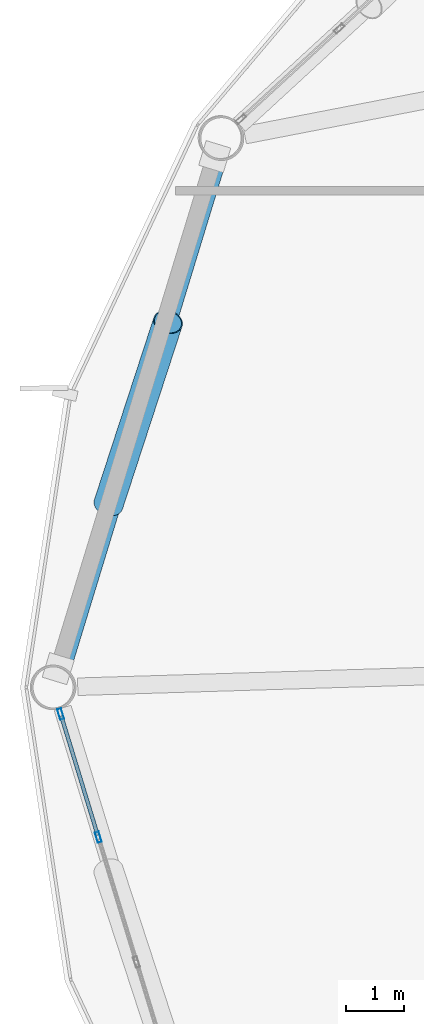
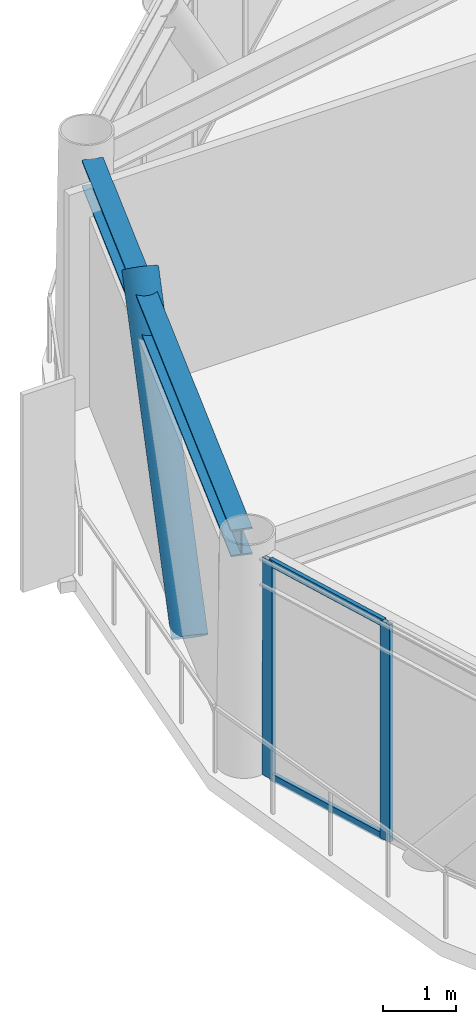
# One storey, part 9 of 24: 5 members, 1 beam, 1 element without a shape of its own.
"""IFC4 building model written with IfcOpenShell, lengths in metres."""

from ifc_helpers import new_model, si_unit, direction, frame, origin, origin_2d, place, context, subcontext, project, spatial, hollow_rectangle, hollow_circle, i_section, extrude, material, layer, layer_set, material_profile, profile_set, type_object, element, aggregate, save


model = new_model("IFC4")

# Units and contexts
model_context = context("Model", 3, precision=1e-05, world=origin(), true_north=direction((0.0, 1.0)))
body_context = subcontext(model_context, "Body", "Model", "MODEL_VIEW")
ifc_project = project(units=[si_unit("LENGTHUNIT", "METRE"), si_unit("AREAUNIT", "SQUARE_METRE"), si_unit("VOLUMEUNIT", "CUBIC_METRE"), si_unit("PLANEANGLEUNIT", "RADIAN"), si_unit("MASSUNIT", "GRAM", prefix="KILO")], contexts=[model_context])

# Site, building, storey
site_placement = place(None, origin())
site = spatial("IfcSite", under=ifc_project, at=site_placement, CompositionType="ELEMENT")
building_placement = place(site_placement, origin())
building = spatial("IfcBuilding", under=site, at=building_placement, Name="Varnakorn Sky Granary", CompositionType="ELEMENT")
storey_placement = place(building_placement, frame((0.0, 0.0, 161.699951171875)))
storey = spatial("IfcBuildingStorey", under=building, at=storey_placement, Name="L40", CompositionType="ELEMENT", Elevation=161.699951171875)

# Beam
ifc_material_1 = material(Name="Steel S355JR", Category="steel")
ifc_material_profile_1 = material_profile(ifc_material_1, i_section(OverallWidth=0.300048828125, OverallDepth=0.449951171875, WebThickness=0.013916015625, FlangeThickness=0.02587890625, at=origin_2d()), Name="HE 450 B")
ifc_profile_set_1 = profile_set([ifc_material_profile_1], Name="Steel S355JR")
beam_type = type_object("IfcBeamType", Name="BM-SPD-Z3", PredefinedType="SPANDREL", material=ifc_profile_set_1)
beam_placement = place(storey_placement, frame((-19.25830078125, 9.031494140625, 3.4150390625), z_axis=(-0.292138588412, -0.956375995705, 0.0), x_axis=(0.956375995705, -0.292138588412, 0.0)))
element("IfcBeam", 1, at=beam_placement, inside=storey, type_object=beam_type, Name="Perimeter Spandrel Ring Beam RB06 L40", PredefinedType="SPANDREL", context=body_context, shape_type="SweptSolid", body=[
    extrude(i_section(OverallWidth=0.300048828125, OverallDepth=0.449951171875, WebThickness=0.013916015625, FlangeThickness=0.02587890625, at=origin_2d()), origin(), (0.0, 0.0, 1.0), 9.077392578125),
])

# Curtain wall, members
ifc_material_2 = material(Name="Anodised Bronze Aluminium Alloy 6063-T6", Category="aluminium")
ifc_layer = layer(ifc_material_2, 0.179931640625, Name="Anodised Bronze Aluminium Alloy 6063-T6")
ifc_layer_set = layer_set([ifc_layer], Name="Anodised Bronze Aluminium Alloy 6063-T6")
curtain_wall_type = type_object("IfcCurtainWallType", Name="CW-FRM-2", PredefinedType="USERDEFINED", material=ifc_layer_set)
curtain_wall_placement = place(storey_placement, origin())
curtain_wall = element("IfcCurtainWall", 2, at=curtain_wall_placement, inside=storey, type_object=curtain_wall_type, Name="Unitised Curtain Wall CW4 CW-L40-B07", ObjectType="CURTAIN WALL", PredefinedType="USERDEFINED")
ifc_material_profile_2 = material_profile(ifc_material_2, hollow_rectangle(XDim=0.070068359375, YDim=0.18505859375, WallThickness=0.00390625, at=origin_2d()), Name="ALU MULL 70x185")
ifc_profile_set_2 = profile_set([ifc_material_profile_2], Name="Anodised Bronze Aluminium Alloy 6063-T6")
member_type_1 = type_object("IfcMemberType", Name="CW-FRM-2-MULL", PredefinedType="MULLION", material=ifc_profile_set_2)
member_1_placement = place(storey_placement, frame((-21.2998046875, -2.56201171875, 0.0), z_axis=(0.0, 0.0, 1.0), x_axis=(-0.956331104818, -0.292285507608, 0.0)))
member_1 = element("IfcMember", 3, at=member_1_placement, type_object=member_type_1, Name="CW4 mullion 4", PredefinedType="MULLION", context=body_context, shape_type="SweptSolid", body=[
    extrude(hollow_rectangle(XDim=0.070068359375, YDim=0.18505859375, WallThickness=0.00390625, at=origin_2d()), origin(), (0.0, 0.0, 1.0), 3.64013671875),
])
member_2_placement = place(storey_placement, frame((-21.94384765625, -0.455078125, 0.0), z_axis=(0.0, 0.0, 1.0), x_axis=(-0.956331104818, -0.292285507608, 0.0)))
member_2 = element("IfcMember", 4, at=member_2_placement, type_object=member_type_1, Name="CW4 mullion 5", PredefinedType="MULLION", context=body_context, shape_type="SweptSolid", body=[
    extrude(hollow_rectangle(XDim=0.070068359375, YDim=0.18505859375, WallThickness=0.00390625, at=origin_2d()), origin(), (0.0, 0.0, 1.0), 3.64013671875),
])
ifc_material_profile_3 = material_profile(ifc_material_2, hollow_rectangle(XDim=0.06494140625, YDim=0.1201171875, WallThickness=0.00341796875, at=origin_2d()), Name="ALU TRAN 65x120")
ifc_profile_set_3 = profile_set([ifc_material_profile_3], Name="Anodised Bronze Aluminium Alloy 6063-T6")
member_type_2 = type_object("IfcMemberType", Name="CW-FRM-2-TRAN", PredefinedType="USERDEFINED", material=ifc_profile_set_3)
member_3_placement = place(storey_placement, frame((-21.31005859375, -2.528564453125, 0.032470703125), z_axis=(-0.292299948434, 0.956326691118, 0.0), x_axis=(-0.956326691118, -0.292299948434, 0.0)))
member_3 = element("IfcMember", 5, at=member_3_placement, type_object=member_type_2, Name="CW4 transom 4.1", ObjectType="TRANSOM", PredefinedType="USERDEFINED", context=body_context, shape_type="SweptSolid", body=[
    extrude(hollow_rectangle(XDim=0.06494140625, YDim=0.1201171875, WallThickness=0.00341796875, at=origin_2d()), origin(), (0.0, 0.0, 1.0), 2.13330078125),
])
member_4_placement = place(storey_placement, frame((-21.31005859375, -2.528564453125, 3.607666015625), z_axis=(-0.292299948434, 0.956326691118, 0.0), x_axis=(-0.956326691118, -0.292299948434, 0.0)))
member_4 = element("IfcMember", 6, at=member_4_placement, type_object=member_type_2, Name="CW4 transom 4.2", ObjectType="TRANSOM", PredefinedType="USERDEFINED", context=body_context, shape_type="SweptSolid", body=[
    extrude(hollow_rectangle(XDim=0.06494140625, YDim=0.1201171875, WallThickness=0.00341796875, at=origin_2d()), origin(), (0.0, 0.0, 1.0), 2.13330078125),
])
aggregate(curtain_wall, [member_1, member_2, member_3, member_4])

# Member
ifc_material_3 = material(Name="Steel S460M", Category="steel")
ifc_material_profile_4 = material_profile(ifc_material_3, hollow_circle(Radius=0.25390625, WallThickness=0.01806640625, at=origin_2d()), Name="CHS 508x18")
ifc_profile_set_4 = profile_set([ifc_material_profile_4], Name="Steel S460M")
member_type_3 = type_object("IfcMemberType", Name="MB-DIAG-T2", PredefinedType="BRACE", material=ifc_profile_set_4)
member_5_placement = place(storey_placement, frame((-21.124755859375, 3.135009765625, -0.1298828125), z_axis=(0.199197127633, 0.610199400568, 0.766796710927), x_axis=(-0.950629199496, 0.310329059333, 0.0)))
element("IfcMember", 7, at=member_5_placement, inside=storey, type_object=member_type_3, Name="Perimeter CHS Diagrid Brace DG06 L40", PredefinedType="BRACE", context=body_context, shape_type="SweptSolid", body=[
    extrude(hollow_circle(Radius=0.25390625, WallThickness=0.01806640625, at=origin_2d()), origin(), (0.0, 0.0, 1.0), 5.112060546875),
])

save(model, "model.ifc")
